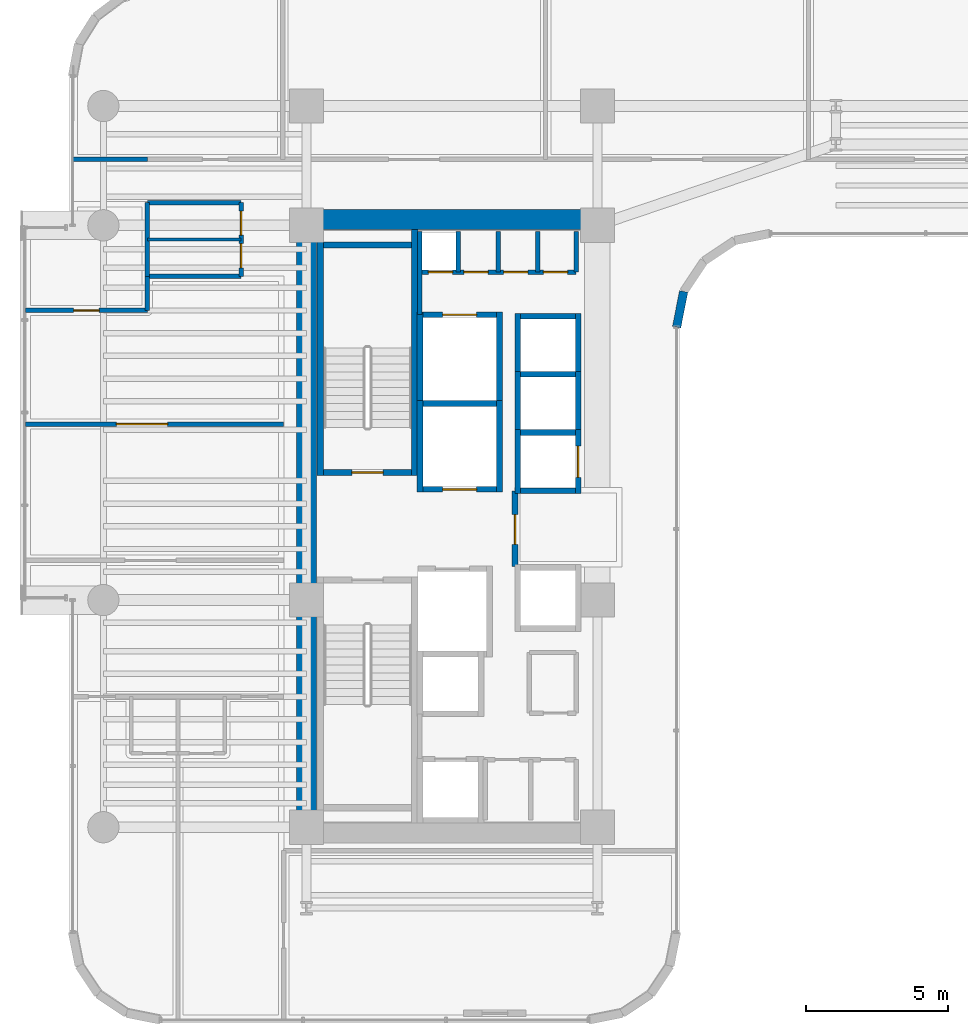
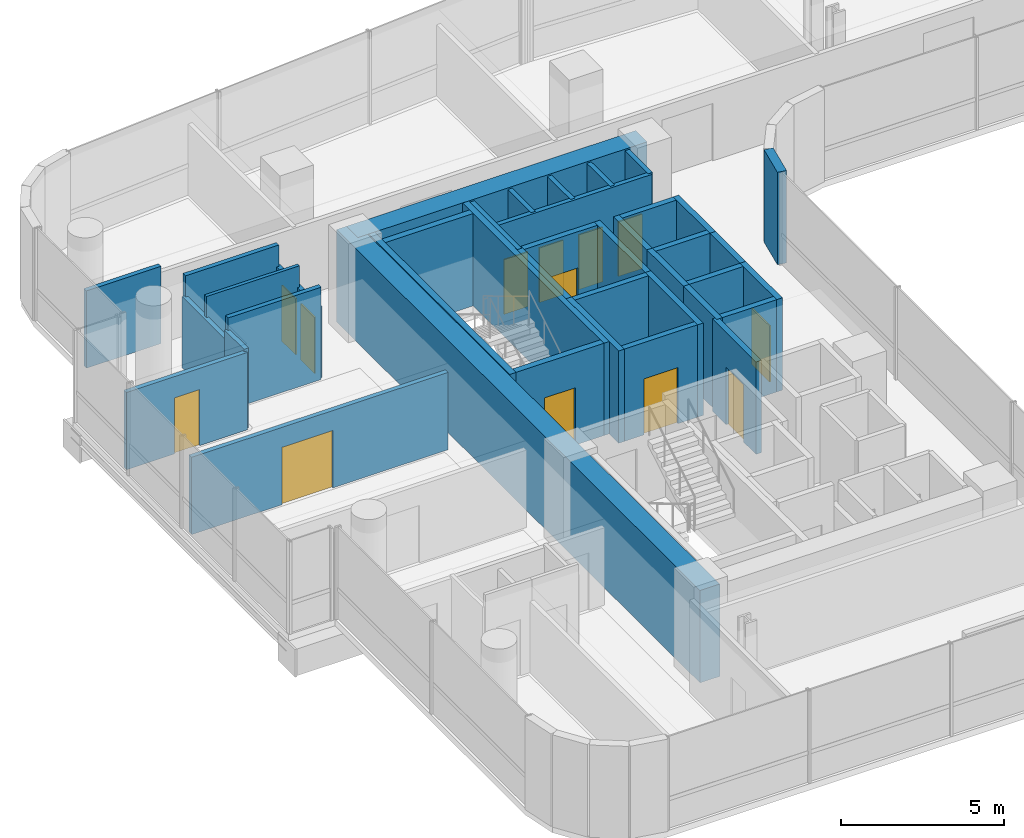
# One storey, part 27 of 35: 40 walls, 13 doors, 13 openings.
"""IFC4 building model written with IfcOpenShell, lengths in metres."""

from ifc_helpers import new_model, si_unit, direction, frame, frame_2d, origin, place, context, subcontext, project, spatial, rectangle, extrude, material, layer, layer_set, type_object, element, fill, save


model = new_model("IFC4")

# Units and contexts
model_context = context("Model", 3, precision=1e-05, world=origin(), true_north=direction((0.0, 1.0)))
body_context = subcontext(model_context, "Body", "Model", "MODEL_VIEW")
ifc_project = project(units=[si_unit("LENGTHUNIT", "METRE"), si_unit("AREAUNIT", "SQUARE_METRE"), si_unit("VOLUMEUNIT", "CUBIC_METRE"), si_unit("PLANEANGLEUNIT", "RADIAN"), si_unit("MASSUNIT", "GRAM", prefix="KILO")], contexts=[model_context])

# Site, building, storey
site_placement = place(None, origin())
site = spatial("IfcSite", under=ifc_project, at=site_placement, CompositionType="ELEMENT")
building_placement = place(site_placement, origin())
building = spatial("IfcBuilding", under=site, at=building_placement, Name="Valdorenza Pilgrim Sanctuary Tower", CompositionType="ELEMENT")
storey_placement = place(building_placement, frame((0.0, 0.0, 139.0)))
storey = spatial("IfcBuildingStorey", under=building, at=storey_placement, Name="L35", CompositionType="ELEMENT", Elevation=139.0)

# Wall
ifc_material_1 = material(Name="Acoustic twin-stud gypsum partition", Category="gypsum")
ifc_layer_1 = layer(ifc_material_1, 0.159912109375, Name="Acoustic twin-stud gypsum partition")
ifc_layer_set_1 = layer_set([ifc_layer_1], Name="Acoustic twin-stud gypsum partition")
wall_type_1 = type_object("IfcWallType", Name="WAL-COR-160", PredefinedType="PARTITIONING", material=ifc_layer_set_1)
wall_1_placement = place(storey_placement, frame((-18.64990234375, 7.449951171875, 0.0), z_axis=(0.0, 0.0, 1.0), x_axis=(0.0, 1.0, 0.0)))
element("IfcWall", 1, at=wall_1_placement, inside=storey, type_object=wall_type_1, Name="L35 Core A North Service West Wall", PredefinedType="PARTITIONING", context=body_context, shape_type="SweptSolid", body=[
    extrude(rectangle(XDim=2.929931640625, YDim=0.159912109375, at=frame_2d((1.46484375, 0.0))), origin(), (0.0, 0.0, 1.0), 3.4599609375),
])

# Wall, openings, doors
wall_2_placement = place(storey_placement, frame((-18.64990234375, 8.949951171875, 0.0), z_axis=(0.0, 0.0, 1.0), x_axis=(1.0, 0.0, 0.0)))
wall_2 = element("IfcWall", 2, at=wall_2_placement, inside=storey, type_object=wall_type_1, Name="L35 Core A North Service South Wall", PredefinedType="PARTITIONING", context=body_context, shape_type="SweptSolid", body=[
    extrude(rectangle(XDim=5.5, YDim=0.159912109375, at=frame_2d((2.75, 0.0))), origin(), (0.0, 0.0, 1.0), 3.4599609375),
])
opening_1_placement = place(wall_2_placement, frame((0.300048828125, 0.0, 0.0)))
opening_1 = element("IfcOpeningElement", 3, at=opening_1_placement, cuts=wall_2, Name="Opening DR-RS1", PredefinedType="OPENING", context=body_context, shape_type="SweptSolid", body=[
    extrude(rectangle(XDim=0.85009765625, YDim=2.050048828125, at=frame_2d((0.425048828125, 1.02490234375))), frame((0.0, 0.0947265625, 0.0), z_axis=(0.0, -1.0, 0.0), x_axis=(1.0, 0.0, 0.0)), (0.0, 0.0, 1.0), 0.189697265625),
])
opening_2_placement = place(wall_2_placement, frame((1.550048828125, 0.0, 0.0)))
opening_2 = element("IfcOpeningElement", 4, at=opening_2_placement, cuts=wall_2, Name="Opening DR-RS1", PredefinedType="OPENING", context=body_context, shape_type="SweptSolid", body=[
    extrude(rectangle(XDim=0.85009765625, YDim=2.050048828125, at=frame_2d((0.425048828125, 1.02490234375))), frame((0.0, 0.0947265625, 0.0), z_axis=(0.0, -1.0, 0.0), x_axis=(1.0, 0.0, 0.0)), (0.0, 0.0, 1.0), 0.189697265625),
])
opening_3_placement = place(wall_2_placement, frame((2.949951171875, 0.0, 0.0)))
opening_3 = element("IfcOpeningElement", 5, at=opening_3_placement, cuts=wall_2, Name="Opening DR-RS1", PredefinedType="OPENING", context=body_context, shape_type="SweptSolid", body=[
    extrude(rectangle(XDim=0.85009765625, YDim=2.050048828125, at=frame_2d((0.425048828125, 1.02490234375))), frame((0.0, 0.0947265625, 0.0), z_axis=(0.0, -1.0, 0.0), x_axis=(1.0, 0.0, 0.0)), (0.0, 0.0, 1.0), 0.189697265625),
])
opening_4_placement = place(wall_2_placement, frame((4.35009765625, 0.0, 0.0)))
opening_4 = element("IfcOpeningElement", 6, at=opening_4_placement, cuts=wall_2, Name="Opening DR-RS1", PredefinedType="OPENING", context=body_context, shape_type="SweptSolid", body=[
    extrude(rectangle(XDim=0.85009765625, YDim=2.050048828125, at=frame_2d((0.425048828125, 1.02490234375))), frame((0.0, 0.0947265625, 0.0), z_axis=(0.0, -1.0, 0.0), x_axis=(1.0, 0.0, 0.0)), (0.0, 0.0, 1.0), 0.189697265625),
])
ifc_material_2 = material(Name="Painted galvanized steel", Category="steel")
door_type_1 = type_object("IfcDoorType", Name="DR-RSR-850", OperationType="NOTDEFINED", PredefinedType="DOOR", material=ifc_material_2)
door_1_placement = place(opening_1_placement, origin())
door_1 = element("IfcDoor", 7, at=door_1_placement, inside=storey, type_object=door_type_1, Name="L35 Core Electrical and Telecom Riser Door", OperationType="SINGLE_SWING_LEFT", OverallHeight=2.050048828125, OverallWidth=0.85009765625, PredefinedType="DOOR", context=body_context, shape_type="SweptSolid", body=[
    extrude(rectangle(XDim=0.85009765625, YDim=2.050048828125, at=frame_2d((0.425048828125, 1.02490234375))), frame((0.0, 0.02490234375, 0.0), z_axis=(0.0, -1.0, 0.0), x_axis=(1.0, 0.0, 0.0)), (0.0, 0.0, 1.0), 0.050048828125),
])
fill(opening_1, door_1)
door_2_placement = place(opening_2_placement, origin())
door_2 = element("IfcDoor", 8, at=door_2_placement, inside=storey, type_object=door_type_1, Name="L35 Housekeeping and Clean Linen Room Door", OperationType="SINGLE_SWING_RIGHT", OverallHeight=2.050048828125, OverallWidth=0.85009765625, PredefinedType="DOOR", context=body_context, shape_type="SweptSolid", body=[
    extrude(rectangle(XDim=0.85009765625, YDim=2.050048828125, at=frame_2d((0.425048828125, 1.02490234375))), frame((0.0, 0.02490234375, 0.0), z_axis=(0.0, -1.0, 0.0), x_axis=(1.0, 0.0, 0.0)), (0.0, 0.0, 1.0), 0.050048828125),
])
fill(opening_2, door_2)
door_3_placement = place(opening_3_placement, origin())
door_3 = element("IfcDoor", 9, at=door_3_placement, inside=storey, type_object=door_type_1, Name="L35 Core IT Server Closet Door", OperationType="SINGLE_SWING_LEFT", OverallHeight=2.050048828125, OverallWidth=0.85009765625, PredefinedType="DOOR", context=body_context, shape_type="SweptSolid", body=[
    extrude(rectangle(XDim=0.85009765625, YDim=2.050048828125, at=frame_2d((0.425048828125, 1.02490234375))), frame((0.0, 0.02490234375, 0.0), z_axis=(0.0, -1.0, 0.0), x_axis=(1.0, 0.0, 0.0)), (0.0, 0.0, 1.0), 0.050048828125),
])
fill(opening_3, door_3)
door_4_placement = place(opening_4_placement, origin())
door_4 = element("IfcDoor", 10, at=door_4_placement, inside=storey, type_object=door_type_1, Name="L35 Core Staff Washroom Door", OperationType="SINGLE_SWING_RIGHT", OverallHeight=2.050048828125, OverallWidth=0.85009765625, PredefinedType="DOOR", context=body_context, shape_type="SweptSolid", body=[
    extrude(rectangle(XDim=0.85009765625, YDim=2.050048828125, at=frame_2d((0.425048828125, 1.02490234375))), frame((0.0, 0.02490234375, 0.0), z_axis=(0.0, -1.0, 0.0), x_axis=(1.0, 0.0, 0.0)), (0.0, 0.0, 1.0), 0.050048828125),
])
fill(opening_4, door_4)

# Walls
for number, where, z_axis, x_axis, name in (
    (11, (-13.14990234375, 8.949951171875, 0.0), (0.0, 0.0, 1.0), (0.0, 1.0, 0.0), "L35 Core A North Service East Wall"),
    (12, (-17.300048828125, 8.949951171875, 0.0), (0.0, 0.0, 1.0), (0.0, 1.0, 0.0), "L35 Core Electrical Riser Wall"),
    (13, (-15.89990234375, 8.949951171875, 0.0), (0.0, 0.0, 1.0), (0.0, 1.0, 0.0), "L35 Core A Split D1"),
    (14, (-14.5, 8.949951171875, 0.0), (0.0, 0.0, 1.0), (0.0, 1.0, 0.0), "L35 Core A Split D2"),
):
    element("IfcWall", number, at=place(storey_placement, frame(where, z_axis=z_axis, x_axis=x_axis)), inside=storey, type_object=wall_type_1, Name=name, PredefinedType="PARTITIONING", context=body_context, shape_type="SweptSolid", body=[
        extrude(rectangle(XDim=1.429931640625, YDim=0.159912109375, at=frame_2d((0.71484375, 0.0))), origin(), (0.0, 0.0, 1.0), 3.4599609375),
    ])
wall_3_placement = place(storey_placement, frame((-28.25, 8.800048828125, 0.0), z_axis=(0.0, 0.0, 1.0), x_axis=(0.0, 1.0, 0.0)))
element("IfcWall", 15, at=wall_3_placement, inside=storey, type_object=wall_type_1, Name="L35 Washroom West Wall", PredefinedType="PARTITIONING", context=body_context, shape_type="SweptSolid", body=[
    extrude(rectangle(XDim=2.599853515625, YDim=0.159912109375, at=frame_2d((1.2998046875, 0.0))), origin(), (0.0, 0.0, 1.0), 2.666015625),
])

# Wall, openings, doors
wall_4_placement = place(storey_placement, frame((-24.949951171875, 8.800048828125, 0.0), z_axis=(0.0, 0.0, 1.0), x_axis=(0.0, 1.0, 0.0)))
wall_4 = element("IfcWall", 16, at=wall_4_placement, inside=storey, type_object=wall_type_1, Name="L35 Washroom East Wall", PredefinedType="PARTITIONING", context=body_context, shape_type="SweptSolid", body=[
    extrude(rectangle(XDim=2.599853515625, YDim=0.159912109375, at=frame_2d((1.2998046875, 0.0))), origin(), (0.0, 0.0, 1.0), 2.666015625),
])
opening_5_placement = place(wall_4_placement, frame((0.300048828125, 0.0, 0.0)))
opening_5 = element("IfcOpeningElement", 17, at=opening_5_placement, cuts=wall_4, Name="Opening DR-WC1", PredefinedType="OPENING", context=body_context, shape_type="SweptSolid", body=[
    extrude(rectangle(XDim=0.85009765625, YDim=2.10009765625, at=frame_2d((0.425048828125, 1.050048828125))), frame((0.0, 0.0947265625, 0.0), z_axis=(0.0, -1.0, 0.0), x_axis=(1.0, 0.0, 0.0)), (0.0, 0.0, 1.0), 0.189697265625),
])
opening_6_placement = place(wall_4_placement, frame((1.449951171875, 0.0, 0.0)))
opening_6 = element("IfcOpeningElement", 18, at=opening_6_placement, cuts=wall_4, Name="Opening DR-WC1", PredefinedType="OPENING", context=body_context, shape_type="SweptSolid", body=[
    extrude(rectangle(XDim=0.85009765625, YDim=2.10009765625, at=frame_2d((0.425048828125, 1.050048828125))), frame((0.0, 0.0947265625, 0.0), z_axis=(0.0, -1.0, 0.0), x_axis=(1.0, 0.0, 0.0)), (0.0, 0.0, 1.0), 0.189697265625),
])
ifc_material_3 = material(Name="Moisture-resistant lacquered timber", Category="wood")
door_type_2 = type_object("IfcDoorType", Name="DR-BATH-850", OperationType="NOTDEFINED", PredefinedType="DOOR", material=ifc_material_3)
door_5_placement = place(opening_5_placement, origin())
door_5 = element("IfcDoor", 19, at=door_5_placement, inside=storey, type_object=door_type_2, Name="L35 Accessible Washroom Door", OperationType="SINGLE_SWING_RIGHT", OverallHeight=2.10009765625, OverallWidth=0.85009765625, PredefinedType="DOOR", context=body_context, shape_type="SweptSolid", body=[
    extrude(rectangle(XDim=0.85009765625, YDim=2.10009765625, at=frame_2d((0.425048828125, 1.050048828125))), frame((0.0, 0.02490234375, 0.0), z_axis=(0.0, -1.0, 0.0), x_axis=(1.0, 0.0, 0.0)), (0.0, 0.0, 1.0), 0.050048828125),
])
fill(opening_5, door_5)
door_6_placement = place(opening_6_placement, origin())
door_6 = element("IfcDoor", 20, at=door_6_placement, inside=storey, type_object=door_type_2, Name="L35 Public Washroom Door", OperationType="SINGLE_SWING_LEFT", OverallHeight=2.10009765625, OverallWidth=0.85009765625, PredefinedType="DOOR", context=body_context, shape_type="SweptSolid", body=[
    extrude(rectangle(XDim=0.85009765625, YDim=2.10009765625, at=frame_2d((0.425048828125, 1.050048828125))), frame((0.0, 0.02490234375, 0.0), z_axis=(0.0, -1.0, 0.0), x_axis=(1.0, 0.0, 0.0)), (0.0, 0.0, 1.0), 0.050048828125),
])
fill(opening_6, door_6)

# Walls
for number, where, z_axis, x_axis, name in (
    (21, (-28.25, 8.800048828125, 0.0), (0.0, 0.0, 1.0), (1.0, 0.0, 0.0), "L35 Washroom South Wall"),
    (22, (-28.25, 11.39990234375, 0.0), (0.0, 0.0, 1.0), (1.0, 0.0, 0.0), "L35 Washroom North Wall"),
):
    element("IfcWall", number, at=place(storey_placement, frame(where, z_axis=z_axis, x_axis=x_axis)), inside=storey, type_object=wall_type_1, Name=name, PredefinedType="PARTITIONING", context=body_context, shape_type="SweptSolid", body=[
        extrude(rectangle(XDim=3.300048828125, YDim=0.159912109375, at=frame_2d((1.64990234375, 0.0))), origin(), (0.0, 0.0, 1.0), 3.4599609375),
    ])

# Wall, opening, door
wall_5_placement = place(storey_placement, frame((-32.5400390625, 7.60009765625, 0.0), z_axis=(0.0, 0.0, 1.0), x_axis=(1.0, 0.0, 0.0)))
wall_5 = element("IfcWall", 23, at=wall_5_placement, inside=storey, type_object=wall_type_1, Name="L35 Cloister North Room Wall", PredefinedType="PARTITIONING", context=body_context, shape_type="SweptSolid", body=[
    extrude(rectangle(XDim=4.2900390625, YDim=0.159912109375, at=frame_2d((2.14501953125, 0.0))), origin(), (0.0, 0.0, 1.0), 2.89599609375),
])
opening_7_placement = place(wall_5_placement, frame((1.695068359375, 0.0, 0.0)))
opening_7 = element("IfcOpeningElement", 24, at=opening_7_placement, cuts=wall_5, Name="Opening DR-RM1", PredefinedType="OPENING", context=body_context, shape_type="SweptSolid", body=[
    extrude(rectangle(XDim=0.89990234375, YDim=2.10009765625, at=frame_2d((0.449951171875, 1.050048828125))), frame((0.0, 0.0947265625, 0.0), z_axis=(0.0, -1.0, 0.0), x_axis=(1.0, 0.0, 0.0)), (0.0, 0.0, 1.0), 0.189697265625),
])
ifc_material_4 = material(Name="Solid-core European oak timber", Category="wood")
door_type_3 = type_object("IfcDoorType", Name="DR-ROOM-900", OperationType="NOTDEFINED", PredefinedType="DOOR", material=ifc_material_4)
door_7_placement = place(opening_7_placement, origin())
door_7 = element("IfcDoor", 25, at=door_7_placement, inside=storey, type_object=door_type_3, Name="L35 Pastoral Scholar Office L35-CN1 Door", OperationType="SINGLE_SWING_RIGHT", OverallHeight=2.10009765625, OverallWidth=0.89990234375, PredefinedType="DOOR", context=body_context, shape_type="SweptSolid", body=[
    extrude(rectangle(XDim=0.89990234375, YDim=2.10009765625, at=frame_2d((0.449951171875, 1.050048828125))), frame((0.0, 0.02490234375, 0.0), z_axis=(0.0, -1.0, 0.0), x_axis=(1.0, 0.0, 0.0)), (0.0, 0.0, 1.0), 0.050048828125),
])
fill(opening_7, door_7)

# Wall
wall_6_placement = place(storey_placement, frame((-28.25, 7.60009765625, 0.0), z_axis=(0.0, 0.0, 1.0), x_axis=(0.0, 1.0, 0.0)))
element("IfcWall", 26, at=wall_6_placement, inside=storey, type_object=wall_type_1, Name="L35 Cloister NE Closure", PredefinedType="PARTITIONING", context=body_context, shape_type="SweptSolid", body=[
    extrude(rectangle(XDim=1.199951171875, YDim=0.159912109375, at=frame_2d((0.60009765625, 0.0))), origin(), (0.0, 0.0, 1.0), 2.988037109375),
])

# Wall, opening, door
wall_7_placement = place(storey_placement, frame((-32.5400390625, 3.60009765625, 0.0), z_axis=(0.0, 0.0, 1.0), x_axis=(1.0, 0.0, 0.0)))
wall_7 = element("IfcWall", 27, at=wall_7_placement, inside=storey, type_object=wall_type_1, Name="L35 Cloister Mid Wall 2", PredefinedType="PARTITIONING", context=body_context, shape_type="SweptSolid", body=[
    extrude(rectangle(XDim=9.090087890625, YDim=0.159912109375, at=frame_2d((4.544921875, 0.0))), origin(), (0.0, 0.0, 1.0), 2.89599609375),
])
opening_8_placement = place(wall_7_placement, frame((3.199951171875, 0.0, 0.0)))
opening_8 = element("IfcOpeningElement", 28, at=opening_8_placement, cuts=wall_7, Name="Opening DR-HL1", PredefinedType="OPENING", context=body_context, shape_type="SweptSolid", body=[
    extrude(rectangle(XDim=1.800048828125, YDim=2.14990234375, at=frame_2d((0.89990234375, 1.074951171875))), frame((0.0, 0.0947265625, 0.0), z_axis=(0.0, -1.0, 0.0), x_axis=(1.0, 0.0, 0.0)), (0.0, 0.0, 1.0), 0.189697265625),
])
ifc_material_5 = material(Name="Acoustic oak and vision-glass double door", Category="glass")
door_type_4 = type_object("IfcDoorType", Name="DR-HALL-1800", OperationType="NOTDEFINED", PredefinedType="DOOR", material=ifc_material_5)
door_8_placement = place(opening_8_placement, origin())
door_8 = element("IfcDoor", 29, at=door_8_placement, inside=storey, type_object=door_type_4, Name="L35 Cloister Mid-North Double Door", OperationType="DOUBLE_DOOR_SINGLE_SWING", OverallHeight=2.14990234375, OverallWidth=1.800048828125, PredefinedType="DOOR", context=body_context, shape_type="SweptSolid", body=[
    extrude(rectangle(XDim=1.800048828125, YDim=2.14990234375, at=frame_2d((0.89990234375, 1.074951171875))), frame((0.0, 0.02490234375, 0.0), z_axis=(0.0, -1.0, 0.0), x_axis=(1.0, 0.0, 0.0)), (0.0, 0.0, 1.0), 0.050048828125),
])
fill(opening_8, door_8)

# Walls
wall_8_placement = place(storey_placement, frame((-30.889892578125, 12.919921875, 0.0), z_axis=(0.0, 0.0, 1.0), x_axis=(1.0, 0.0, 0.0)))
element("IfcWall", 30, at=wall_8_placement, inside=storey, type_object=wall_type_1, Name="L35 Cloister North Solid Partition", PredefinedType="PARTITIONING", context=body_context, shape_type="SweptSolid", body=[
    extrude(rectangle(XDim=2.639892578125, YDim=0.159912109375, at=frame_2d((1.31982421875, 0.0))), origin(), (0.0, 0.0, 1.0), 2.89599609375),
])
ifc_material_6 = material(Name="Concrete C60/75", Category="concrete")
ifc_layer_2 = layer(ifc_material_6, 0.699951171875, Name="Concrete C60/75")
ifc_layer_set_2 = layer_set([ifc_layer_2], Name="Concrete C60/75")
wall_type_2 = type_object("IfcWallType", Name="WAL-COR-700", PredefinedType="SHEAR", material=ifc_layer_set_2)
wall_9_placement = place(storey_placement, frame((-22.64990234375, -11.14990234375, 0.0), z_axis=(0.0, 0.0, 1.0), x_axis=(0.0, 1.0, 0.0)))
element("IfcWall", 31, at=wall_9_placement, inside=storey, type_object=wall_type_2, Name="L35 Split Core A Shear Wall W", PredefinedType="SHEAR", context=body_context, shape_type="SweptSolid", body=[
    extrude(rectangle(XDim=22.2998046875, YDim=0.699951171875, at=frame_2d((11.14990234375, 0.0))), origin(), (0.0, 0.0, 1.0), 3.4599609375),
])
wall_10_placement = place(storey_placement, frame((-22.64990234375, 10.800048828125, 0.0), z_axis=(0.0, 0.0, 1.0), x_axis=(1.0, 0.0, 0.0)))
element("IfcWall", 32, at=wall_10_placement, inside=storey, type_object=wall_type_2, Name="L35 Split Core A Shear Wall N", PredefinedType="SHEAR", context=body_context, shape_type="SweptSolid", body=[
    extrude(rectangle(XDim=10.25, YDim=0.699951171875, at=frame_2d((5.125, 0.0))), origin(), (0.0, 0.0, 1.0), 3.4599609375),
])
ifc_material_7 = material(Name="Honed travertine limestone", Category="masonry")
ifc_layer_3 = layer(ifc_material_7, 0.300048828125, Name="Honed travertine limestone")
ifc_layer_set_3 = layer_set([ifc_layer_3], Name="Honed travertine limestone")
wall_type_3 = type_object("IfcWallType", Name="WAL-EXT-300", PredefinedType="SOLIDWALL", material=ifc_layer_set_3)
wall_11_placement = place(storey_placement, frame((-9.360107421875, 8.267578125, 0.0), z_axis=(0.0, 0.0, 1.0), x_axis=(-0.195090163074, -0.980785312019, 0.0)))
element("IfcWall", 33, at=wall_11_placement, inside=storey, type_object=wall_type_3, Name="L35 Rounded Wind-Corner Stone Pier 40", PredefinedType="SOLIDWALL", context=body_context, shape_type="SweptSolid", body=[
    extrude(rectangle(XDim=1.281494140625, YDim=0.300048828125, at=frame_2d((0.640625, 0.0))), origin(), (0.0, 0.0, 1.0), 3.4599609375),
])

# Wall, opening, door
ifc_material_8 = material(Name="Gypsum shaftwall partition", Category="gypsum")
ifc_layer_4 = layer(ifc_material_8, 0.199951171875, Name="Gypsum shaftwall partition")
ifc_layer_set_4 = layer_set([ifc_layer_4], Name="Gypsum shaftwall partition")
wall_type_4 = type_object("IfcWallType", Name="WAL-FFL-200", PredefinedType="PARTITIONING", material=ifc_layer_set_4)
wall_12_placement = place(storey_placement, frame((-15.300048828125, -1.419921875, 0.0), z_axis=(0.0, 0.0, 1.0), x_axis=(0.0, 1.0, 0.0)))
wall_12 = element("IfcWall", 34, at=wall_12_placement, inside=storey, type_object=wall_type_4, Name="L35 Core A Firefighting Lobby East Wall", PredefinedType="PARTITIONING", context=body_context, shape_type="SweptSolid", body=[
    extrude(rectangle(XDim=2.669921875, YDim=0.199951171875, at=frame_2d((1.3349609375, 0.0))), origin(), (0.0, 0.0, 1.0), 3.4599609375),
])
opening_9_placement = place(wall_12_placement, frame((0.780029296875, 0.0, 0.0)))
opening_9 = element("IfcOpeningElement", 35, at=opening_9_placement, cuts=wall_12, Name="Opening DR-FL1", PredefinedType="OPENING", context=body_context, shape_type="SweptSolid", body=[
    extrude(rectangle(XDim=1.050048828125, YDim=2.14990234375, at=frame_2d((0.52490234375, 1.074951171875))), frame((0.0, 0.11474609375, 0.0), z_axis=(0.0, -1.0, 0.0), x_axis=(1.0, 0.0, 0.0)), (0.0, 0.0, 1.0), 0.229736328125),
])
door_type_5 = type_object("IfcDoorType", Name="DR-FFL-1050", OperationType="NOTDEFINED", PredefinedType="DOOR", material=ifc_material_2)
door_9_placement = place(opening_9_placement, origin())
door_9 = element("IfcDoor", 36, at=door_9_placement, inside=storey, type_object=door_type_5, Name="L35 Core A Firefighting Lobby Door", OperationType="SINGLE_SWING_RIGHT", OverallHeight=2.14990234375, OverallWidth=1.050048828125, PredefinedType="DOOR", context=body_context, shape_type="SweptSolid", body=[
    extrude(rectangle(XDim=1.050048828125, YDim=2.14990234375, at=frame_2d((0.52490234375, 1.074951171875))), frame((0.0, 0.02490234375, 0.0), z_axis=(0.0, -1.0, 0.0), x_axis=(1.0, 0.0, 0.0)), (0.0, 0.0, 1.0), 0.050048828125),
])
fill(opening_9, door_9)

# Walls
ifc_material_9 = material(Name="Moisture-resistant gypsum partition", Category="gypsum")
ifc_layer_5 = layer(ifc_material_9, 0.1201171875, Name="Moisture-resistant gypsum partition")
ifc_layer_set_5 = layer_set([ifc_layer_5], Name="Moisture-resistant gypsum partition")
wall_type_5 = type_object("IfcWallType", Name="WAL-INT-120", PredefinedType="PARTITIONING", material=ifc_layer_set_5)
wall_13_placement = place(storey_placement, frame((-28.25, 10.10009765625, 0.0), z_axis=(0.0, 0.0, 1.0), x_axis=(1.0, 0.0, 0.0)))
element("IfcWall", 37, at=wall_13_placement, inside=storey, type_object=wall_type_5, Name="L35 Washroom Divider Wall", PredefinedType="PARTITIONING", context=body_context, shape_type="SweptSolid", body=[
    extrude(rectangle(XDim=3.300048828125, YDim=0.1201171875, at=frame_2d((1.64990234375, 0.0))), origin(), (0.0, 0.0, 1.0), 3.4599609375),
])
ifc_material_10 = material(Name="Autoclaved aerated concrete blockwork", Category="masonry")
ifc_layer_6 = layer(ifc_material_10, 0.199951171875, Name="Autoclaved aerated concrete blockwork")
ifc_layer_set_6 = layer_set([ifc_layer_6], Name="Autoclaved aerated concrete blockwork")
wall_type_6 = type_object("IfcWallType", Name="WAL-SHF-200", PredefinedType="MOVABLE", material=ifc_layer_set_6)
for number, where, z_axis, x_axis, name in (
    (38, (-18.64990234375, 1.199951171875, 0.0), (0.0, 0.0, 1.0), (0.0, 1.0, 0.0), "L35 Lift FFL-01 Hoistway Wall West"),
    (39, (-15.85009765625, 1.199951171875, 0.0), (0.0, 0.0, 1.0), (0.0, 1.0, 0.0), "L35 Lift FFL-01 Hoistway Wall East"),
):
    element("IfcWall", number, at=place(storey_placement, frame(where, z_axis=z_axis, x_axis=x_axis)), inside=storey, type_object=wall_type_6, Name=name, PredefinedType="MOVABLE", context=body_context, shape_type="SweptSolid", body=[
        extrude(rectangle(XDim=3.22509765625, YDim=0.199951171875, at=frame_2d((1.612548828125, 0.0))), origin(), (0.0, 0.0, 1.0), 3.4599609375),
    ])

# Wall, opening, door
wall_14_placement = place(storey_placement, frame((-18.550048828125, 1.300048828125, 0.0), z_axis=(0.0, 0.0, 1.0), x_axis=(1.0, 0.0, 0.0)))
wall_14 = element("IfcWall", 40, at=wall_14_placement, inside=storey, type_object=wall_type_6, Name="L35 Lift FFL-01 Hoistway Wall South", PredefinedType="MOVABLE", context=body_context, shape_type="SweptSolid", body=[
    extrude(rectangle(XDim=2.60009765625, YDim=0.199951171875, at=frame_2d((1.300048828125, 0.0))), origin(), (0.0, 0.0, 1.0), 3.4599609375),
])
opening_10_placement = place(wall_14_placement, frame((0.699951171875, 0.0, 0.0)))
opening_10 = element("IfcOpeningElement", 41, at=opening_10_placement, cuts=wall_14, Name="Opening LD-02", PredefinedType="OPENING", context=body_context, shape_type="SweptSolid", body=[
    extrude(rectangle(XDim=1.199951171875, YDim=2.10009765625, at=frame_2d((0.60009765625, 1.050048828125))), frame((0.0, 0.11474609375, 0.0), z_axis=(0.0, -1.0, 0.0), x_axis=(1.0, 0.0, 0.0)), (0.0, 0.0, 1.0), 0.229736328125),
])
ifc_material_11 = material(Name="Brushed stainless steel Grade 316", Category="steel")
door_type_6 = type_object("IfcDoorType", Name="DR-LFT-1200", OperationType="DOUBLE_DOOR_SLIDING", PredefinedType="DOOR", material=ifc_material_11)
door_10_placement = place(opening_10_placement, origin())
door_10 = element("IfcDoor", 42, at=door_10_placement, inside=storey, type_object=door_type_6, Name="L35 Lift FFL-01 Sliding Landing Door", OperationType="DOUBLE_DOOR_SLIDING", OverallHeight=2.10009765625, OverallWidth=1.199951171875, PredefinedType="DOOR", context=body_context, shape_type="SweptSolid", body=[
    extrude(rectangle(XDim=1.199951171875, YDim=2.10009765625, at=frame_2d((0.60009765625, 1.050048828125))), frame((0.0, 0.02490234375, 0.0), z_axis=(0.0, -1.0, 0.0), x_axis=(1.0, 0.0, 0.0)), (0.0, 0.0, 1.0), 0.050048828125),
])
fill(opening_10, door_10)

# Walls
wall_15_placement = place(storey_placement, frame((-18.550048828125, 4.324951171875, 0.0), z_axis=(0.0, 0.0, 1.0), x_axis=(1.0, 0.0, 0.0)))
element("IfcWall", 43, at=wall_15_placement, inside=storey, type_object=wall_type_6, Name="L35 Lift FFL-01 Hoistway Wall North", PredefinedType="MOVABLE", context=body_context, shape_type="SweptSolid", body=[
    extrude(rectangle(XDim=2.60009765625, YDim=0.199951171875, at=frame_2d((1.300048828125, 0.0))), origin(), (0.0, 0.0, 1.0), 3.4599609375),
])
for number, where, z_axis, x_axis, name in (
    (44, (-18.64990234375, 4.22509765625, 0.0), (0.0, 0.0, 1.0), (0.0, 1.0, 0.0), "L35 Lift SVL-01 Hoistway Wall West"),
    (45, (-15.85009765625, 4.22509765625, 0.0), (0.0, 0.0, 1.0), (0.0, 1.0, 0.0), "L35 Lift SVL-01 Hoistway Wall East"),
):
    element("IfcWall", number, at=place(storey_placement, frame(where, z_axis=z_axis, x_axis=x_axis)), inside=storey, type_object=wall_type_6, Name=name, PredefinedType="MOVABLE", context=body_context, shape_type="SweptSolid", body=[
        extrude(rectangle(XDim=3.324951171875, YDim=0.199951171875, at=frame_2d((1.66259765625, 0.0))), origin(), (0.0, 0.0, 1.0), 3.4599609375),
    ])

# Wall, opening, door
wall_16_placement = place(storey_placement, frame((-18.550048828125, 7.449951171875, 0.0), z_axis=(0.0, 0.0, 1.0), x_axis=(1.0, 0.0, 0.0)))
wall_16 = element("IfcWall", 46, at=wall_16_placement, inside=storey, type_object=wall_type_6, Name="L35 Lift SVL-01 Hoistway Wall North", PredefinedType="MOVABLE", context=body_context, shape_type="SweptSolid", body=[
    extrude(rectangle(XDim=2.60009765625, YDim=0.199951171875, at=frame_2d((1.300048828125, 0.0))), origin(), (0.0, 0.0, 1.0), 3.4599609375),
])
opening_11_placement = place(wall_16_placement, frame((0.699951171875, 0.0, 0.0)))
opening_11 = element("IfcOpeningElement", 47, at=opening_11_placement, cuts=wall_16, Name="Opening LD-02", PredefinedType="OPENING", context=body_context, shape_type="SweptSolid", body=[
    extrude(rectangle(XDim=1.199951171875, YDim=2.10009765625, at=frame_2d((0.60009765625, 1.050048828125))), frame((0.0, 0.11474609375, 0.0), z_axis=(0.0, -1.0, 0.0), x_axis=(1.0, 0.0, 0.0)), (0.0, 0.0, 1.0), 0.229736328125),
])
door_11_placement = place(opening_11_placement, origin())
door_11 = element("IfcDoor", 48, at=door_11_placement, inside=storey, type_object=door_type_6, Name="L35 Lift SVL-01 Sliding Landing Door", OperationType="DOUBLE_DOOR_SLIDING", OverallHeight=2.10009765625, OverallWidth=1.199951171875, PredefinedType="DOOR", context=body_context, shape_type="SweptSolid", body=[
    extrude(rectangle(XDim=1.199951171875, YDim=2.10009765625, at=frame_2d((0.60009765625, 1.050048828125))), frame((0.0, 0.02490234375, 0.0), z_axis=(0.0, -1.0, 0.0), x_axis=(1.0, 0.0, 0.0)), (0.0, 0.0, 1.0), 0.050048828125),
])
fill(opening_11, door_11)

# Wall
wall_17_placement = place(storey_placement, frame((-15.199951171875, 1.14990234375, 0.0), z_axis=(0.0, 0.0, 1.0), x_axis=(0.0, 1.0, 0.0)))
element("IfcWall", 49, at=wall_17_placement, inside=storey, type_object=wall_type_6, Name="L35 Lift PL-06 Hoistway Wall West", PredefinedType="MOVABLE", context=body_context, shape_type="SweptSolid", body=[
    extrude(rectangle(XDim=2.25, YDim=0.199951171875, at=frame_2d((1.125, 0.0))), origin(), (0.0, 0.0, 1.0), 3.4599609375),
])

# Wall, opening, door
wall_18_placement = place(storey_placement, frame((-13.080078125, 1.14990234375, 0.0), z_axis=(0.0, 0.0, 1.0), x_axis=(0.0, 1.0, 0.0)))
wall_18 = element("IfcWall", 50, at=wall_18_placement, inside=storey, type_object=wall_type_6, Name="L35 Lift PL-06 Hoistway Wall East", PredefinedType="MOVABLE", context=body_context, shape_type="SweptSolid", body=[
    extrude(rectangle(XDim=2.25, YDim=0.199951171875, at=frame_2d((1.125, 0.0))), origin(), (0.0, 0.0, 1.0), 3.4599609375),
])
opening_12_placement = place(wall_18_placement, frame((0.574951171875, 0.0, 0.0)))
opening_12 = element("IfcOpeningElement", 51, at=opening_12_placement, cuts=wall_18, Name="Opening LD-01", PredefinedType="OPENING", context=body_context, shape_type="SweptSolid", body=[
    extrude(rectangle(XDim=1.10009765625, YDim=2.10009765625, at=frame_2d((0.550048828125, 1.050048828125))), frame((0.0, 0.11474609375, 0.0), z_axis=(0.0, -1.0, 0.0), x_axis=(1.0, 0.0, 0.0)), (0.0, 0.0, 1.0), 0.229736328125),
])
door_type_7 = type_object("IfcDoorType", Name="DR-LFT-1100", OperationType="DOUBLE_DOOR_SLIDING", PredefinedType="DOOR", material=ifc_material_11)
door_12_placement = place(opening_12_placement, origin())
door_12 = element("IfcDoor", 52, at=door_12_placement, inside=storey, type_object=door_type_7, Name="L35 Lift PL-06 Sliding Landing Door", OperationType="DOUBLE_DOOR_SLIDING", OverallHeight=2.10009765625, OverallWidth=1.10009765625, PredefinedType="DOOR", context=body_context, shape_type="SweptSolid", body=[
    extrude(rectangle(XDim=1.10009765625, YDim=2.10009765625, at=frame_2d((0.550048828125, 1.050048828125))), frame((0.0, 0.02490234375, 0.0), z_axis=(0.0, -1.0, 0.0), x_axis=(1.0, 0.0, 0.0)), (0.0, 0.0, 1.0), 0.050048828125),
])
fill(opening_12, door_12)

# Walls
wall_19_placement = place(storey_placement, frame((-15.10009765625, 1.25, 0.0), z_axis=(0.0, 0.0, 1.0), x_axis=(1.0, 0.0, 0.0)))
element("IfcWall", 53, at=wall_19_placement, inside=storey, type_object=wall_type_6, Name="L35 Lift PL-06 Hoistway Wall South", PredefinedType="MOVABLE", context=body_context, shape_type="SweptSolid", body=[
    extrude(rectangle(XDim=1.920166015625, YDim=0.199951171875, at=frame_2d((0.9599609375, 0.0))), origin(), (0.0, 0.0, 1.0), 3.4599609375),
])
for number, where, z_axis, x_axis, name in (
    (54, (-15.199951171875, 3.199951171875, 0.0), (0.0, 0.0, 1.0), (0.0, 1.0, 0.0), "L35 Lift PL-09 Hoistway Wall West"),
    (55, (-13.080078125, 3.199951171875, 0.0), (0.0, 0.0, 1.0), (0.0, 1.0, 0.0), "L35 Lift PL-09 Hoistway Wall East"),
):
    element("IfcWall", number, at=place(storey_placement, frame(where, z_axis=z_axis, x_axis=x_axis)), inside=storey, type_object=wall_type_6, Name=name, PredefinedType="MOVABLE", context=body_context, shape_type="SweptSolid", body=[
        extrude(rectangle(XDim=2.25, YDim=0.199951171875, at=frame_2d((1.125, 0.0))), origin(), (0.0, 0.0, 1.0), 3.4599609375),
    ])
for number, where, z_axis, x_axis, name in (
    (56, (-15.10009765625, 3.300048828125, 0.0), (0.0, 0.0, 1.0), (1.0, 0.0, 0.0), "L35 Lift PL-09 Hoistway Wall South"),
    (57, (-15.10009765625, 5.35009765625, 0.0), (0.0, 0.0, 1.0), (1.0, 0.0, 0.0), "L35 Lift PL-09 Hoistway Wall North"),
):
    element("IfcWall", number, at=place(storey_placement, frame(where, z_axis=z_axis, x_axis=x_axis)), inside=storey, type_object=wall_type_6, Name=name, PredefinedType="MOVABLE", context=body_context, shape_type="SweptSolid", body=[
        extrude(rectangle(XDim=1.920166015625, YDim=0.199951171875, at=frame_2d((0.9599609375, 0.0))), origin(), (0.0, 0.0, 1.0), 3.4599609375),
    ])
for number, where, z_axis, x_axis, name in (
    (58, (-15.199951171875, 5.25, 0.0), (0.0, 0.0, 1.0), (0.0, 1.0, 0.0), "L35 Lift PL-10 Hoistway Wall West"),
    (59, (-13.080078125, 5.25, 0.0), (0.0, 0.0, 1.0), (0.0, 1.0, 0.0), "L35 Lift PL-10 Hoistway Wall East"),
):
    element("IfcWall", number, at=place(storey_placement, frame(where, z_axis=z_axis, x_axis=x_axis)), inside=storey, type_object=wall_type_6, Name=name, PredefinedType="MOVABLE", context=body_context, shape_type="SweptSolid", body=[
        extrude(rectangle(XDim=2.25, YDim=0.199951171875, at=frame_2d((1.125, 0.0))), origin(), (0.0, 0.0, 1.0), 3.4599609375),
    ])
wall_20_placement = place(storey_placement, frame((-15.10009765625, 7.39990234375, 0.0), z_axis=(0.0, 0.0, 1.0), x_axis=(1.0, 0.0, 0.0)))
element("IfcWall", 60, at=wall_20_placement, inside=storey, type_object=wall_type_6, Name="L35 Lift PL-10 Hoistway Wall North", PredefinedType="MOVABLE", context=body_context, shape_type="SweptSolid", body=[
    extrude(rectangle(XDim=1.920166015625, YDim=0.199951171875, at=frame_2d((0.9599609375, 0.0))), origin(), (0.0, 0.0, 1.0), 3.4599609375),
])
ifc_material_12 = material(Name="Concrete C40/50", Category="concrete")
ifc_layer_7 = layer(ifc_material_12, 0.219970703125, Name="Concrete C40/50")
ifc_layer_set_7 = layer_set([ifc_layer_7], Name="Concrete C40/50")
wall_type_7 = type_object("IfcWallType", Name="WAL-STR-SHF-220", PredefinedType="SHEAR", material=ifc_layer_set_7)
for number, where, z_axis, x_axis, name in (
    (61, (-22.159912109375, 1.780029296875, 0.0), (0.0, 0.0, 1.0), (0.0, 1.0, 0.0), "L35 ST-A1 Structural Stairwell Wall W"),
    (62, (-18.830078125, 1.780029296875, 0.0), (0.0, 0.0, 1.0), (0.0, 1.0, 0.0), "L35 ST-A1 Structural Stairwell Wall E"),
):
    element("IfcWall", number, at=place(storey_placement, frame(where, z_axis=z_axis, x_axis=x_axis)), inside=storey, type_object=wall_type_7, Name=name, PredefinedType="SHEAR", context=body_context, shape_type="SweptSolid", body=[
        extrude(rectangle(XDim=8.669921875, YDim=0.219970703125, at=frame_2d((4.3349609375, 0.0))), origin(), (0.0, 0.0, 1.0), 3.4599609375),
    ])

# Wall, opening, door
wall_21_placement = place(storey_placement, frame((-22.050048828125, 1.889892578125, 0.0), z_axis=(0.0, 0.0, 1.0), x_axis=(1.0, 0.0, 0.0)))
wall_21 = element("IfcWall", 63, at=wall_21_placement, inside=storey, type_object=wall_type_7, Name="L35 ST-A1 Structural Stairwell Wall S", PredefinedType="SHEAR", context=body_context, shape_type="SweptSolid", body=[
    extrude(rectangle(XDim=3.110107421875, YDim=0.219970703125, at=frame_2d((1.55517578125, 0.0))), origin(), (0.0, 0.0, 1.0), 3.4599609375),
])
opening_13_placement = place(wall_21_placement, frame((1.0, 0.0, 0.0)))
opening_13 = element("IfcOpeningElement", 64, at=opening_13_placement, cuts=wall_21, Name="Opening DR-ST1", PredefinedType="OPENING", context=body_context, shape_type="SweptSolid", body=[
    extrude(rectangle(XDim=1.10009765625, YDim=2.14990234375, at=frame_2d((0.550048828125, 1.074951171875))), frame((0.0, 0.125, 0.0), z_axis=(0.0, -1.0, 0.0), x_axis=(1.0, 0.0, 0.0)), (0.0, 0.0, 1.0), 0.249755859375),
])
door_type_8 = type_object("IfcDoorType", Name="DR-STAIR-1100", OperationType="NOTDEFINED", PredefinedType="DOOR", material=ifc_material_2)
door_13_placement = place(opening_13_placement, frame((1.10009765625, 0.0, 0.0), z_axis=(0.0, 0.0, 1.0), x_axis=(-1.0, 0.0, 0.0)))
door_13 = element("IfcDoor", 65, at=door_13_placement, inside=storey, type_object=door_type_8, Name="L35 Exit Stair ST-A1 Door", OperationType="SINGLE_SWING_LEFT", OverallHeight=2.14990234375, OverallWidth=1.10009765625, PredefinedType="DOOR", context=body_context, shape_type="SweptSolid", body=[
    extrude(rectangle(XDim=1.10009765625, YDim=2.14990234375, at=frame_2d((0.550048828125, 1.074951171875))), frame((0.0, 0.02490234375, 0.0), z_axis=(0.0, -1.0, 0.0), x_axis=(1.0, 0.0, 0.0)), (0.0, 0.0, 1.0), 0.050048828125),
])
fill(opening_13, door_13)

# Wall
wall_22_placement = place(storey_placement, frame((-22.050048828125, 9.909912109375, 0.0), z_axis=(0.0, 0.0, 1.0), x_axis=(1.0, 0.0, 0.0)))
element("IfcWall", 66, at=wall_22_placement, inside=storey, type_object=wall_type_7, Name="L35 ST-A1 Structural Stairwell Wall N", PredefinedType="SHEAR", context=body_context, shape_type="SweptSolid", body=[
    extrude(rectangle(XDim=3.110107421875, YDim=0.219970703125, at=frame_2d((1.55517578125, 0.0))), origin(), (0.0, 0.0, 1.0), 3.4599609375),
])

save(model, "model.ifc")
